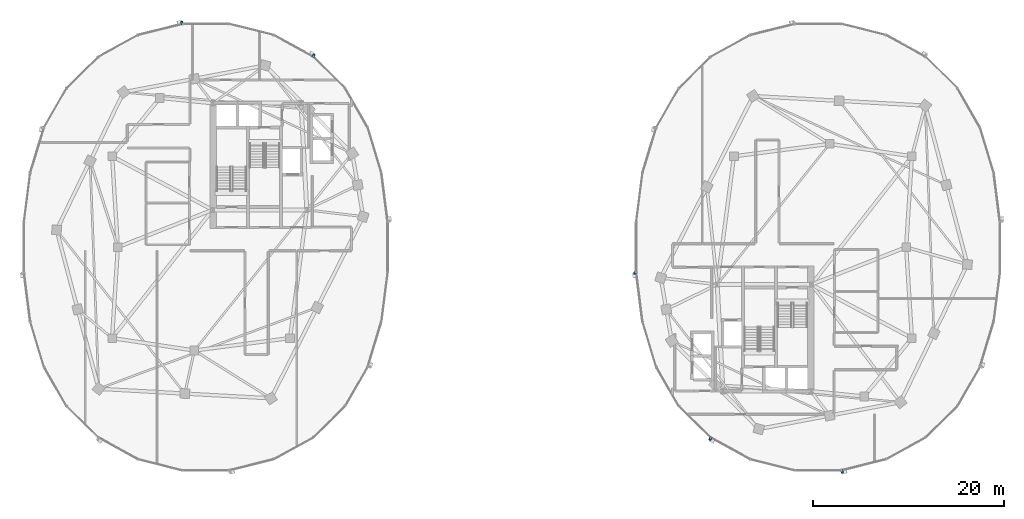
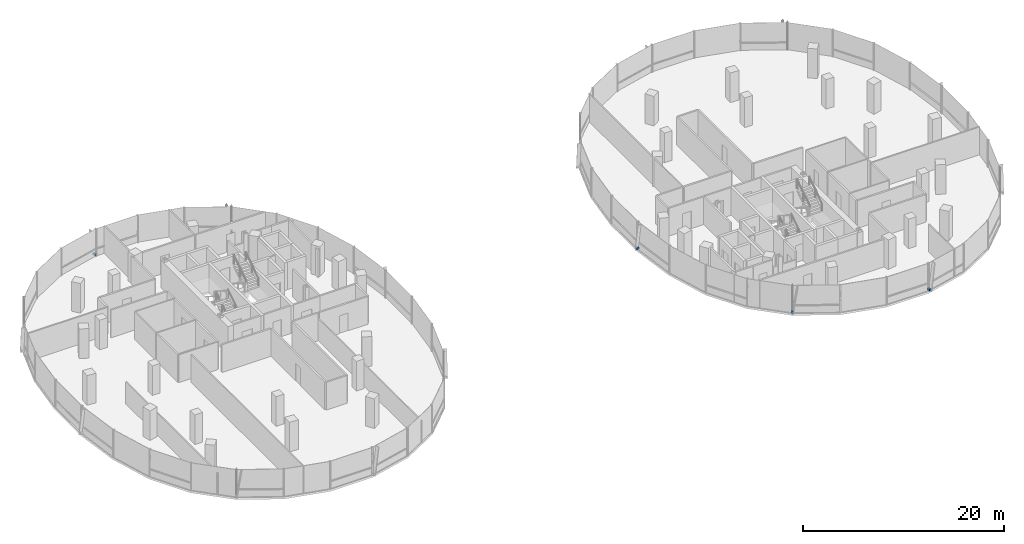
# One storey, part 16 of 22: 5 discrete accessories.
"""IFC4 building model written with IfcOpenShell, lengths in metres."""

from ifc_helpers import new_model, si_unit, direction, frame, origin, origin_2d, place, context, subcontext, project, spatial, rectangle, extrude, material, type_object, element, save


model = new_model("IFC4")

# Units and contexts
model_context = context("Model", 3, precision=1e-05, world=origin(), true_north=direction((0.0, 1.0)))
body_context = subcontext(model_context, "Body", "Model", "MODEL_VIEW")
ifc_project = project(units=[si_unit("LENGTHUNIT", "METRE"), si_unit("AREAUNIT", "SQUARE_METRE"), si_unit("VOLUMEUNIT", "CUBIC_METRE"), si_unit("PLANEANGLEUNIT", "RADIAN"), si_unit("MASSUNIT", "GRAM", prefix="KILO"), si_unit("THERMODYNAMICTEMPERATUREUNIT", "KELVIN"), si_unit("POWERUNIT", "WATT")], contexts=[model_context])

# Site, building, storey
site_placement = place(None, origin())
site = spatial("IfcSite", under=ifc_project, at=site_placement, CompositionType="ELEMENT")
building_placement = place(site_placement, origin())
building = spatial("IfcBuilding", under=site, at=building_placement, Name="Cundina Bronze Exchange", CompositionType="ELEMENT")
storey_placement = place(building_placement, frame((0.0, 0.0, 144.0)))
storey = spatial("IfcBuildingStorey", under=building, at=storey_placement, Name="L37", CompositionType="ELEMENT", Elevation=144.0)

# Discrete accessories
ifc_material = material(Name="Anodised Bronze Aluminium 6063-T6", Category="aluminium")
discrete_accessory_type = type_object("IfcDiscreteAccessoryType", Name="ACC-BRK-FIN", PredefinedType="BRACKET", material=ifc_material)
for number, where, z_axis, x_axis, name in (
    (1, (-20.733154296875, 20.015380859375, 0.10009765625), (0.0, 0.0, 1.0), (-0.875869093438, 0.482548786301, 0.0), "L37 Fin Support Bracket 5"),
    (2, (-34.492919921875, 23.44970703125, 0.10009765625), (0.0, 0.0, 1.0), (-0.970092713791, -0.242734683656, 0.0), "L37 Fin Support Bracket 1"),
    (3, (12.874267578125, -2.69189453125, 0.10009765625), (0.0, 0.0, 1.0), (0.126475984253, -0.9919696696, 0.0), "L37 Fin Support Bracket 1"),
    (4, (20.733154296875, -20.015380859375, 0.10009765625), (0.0, 0.0, 1.0), (0.875869093438, -0.482548786301, 0.0), "L37 Fin Support Bracket 5"),
    (5, (34.492919921875, -23.44970703125, 0.10009765625), (0.0, 0.0, 1.0), (0.970092713791, 0.242734683656, 0.0), "L37 Fin Support Bracket 1"),
):
    element("IfcDiscreteAccessory", number, at=place(storey_placement, frame(where, z_axis=z_axis, x_axis=x_axis)), inside=storey, type_object=discrete_accessory_type, Name=name, PredefinedType="BRACKET", context=body_context, shape_type="SweptSolid", body=[
        extrude(rectangle(XDim=0.219970703125, YDim=0.320068359375, at=origin_2d()), origin(), (0.0, 0.0, 1.0), 0.239990234375),
    ])

save(model, "model.ifc")
